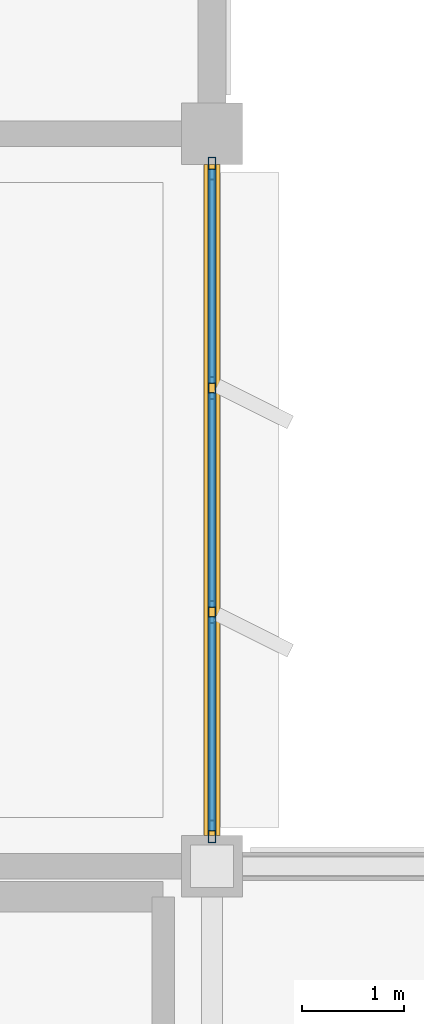
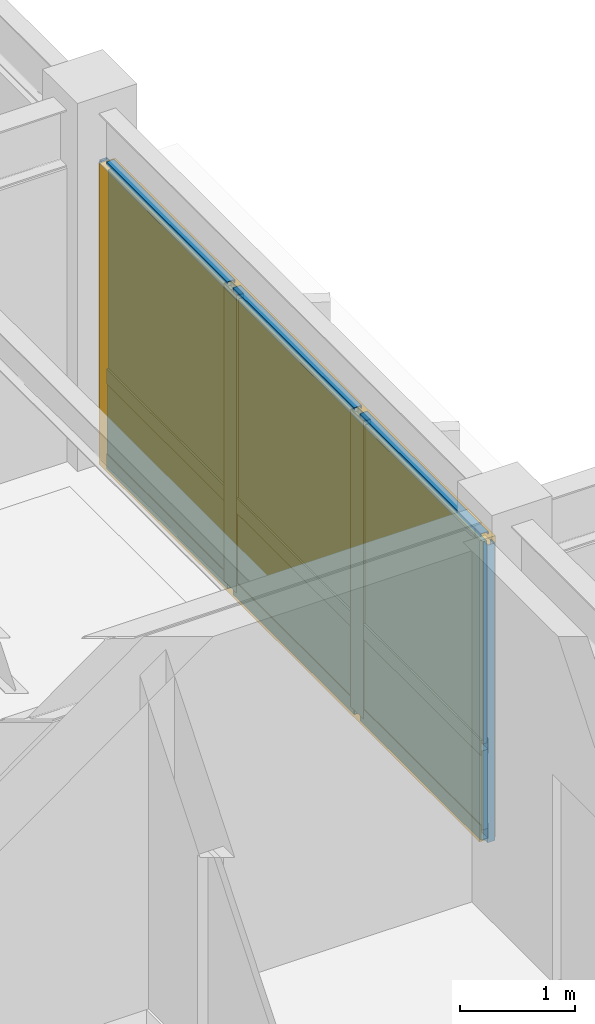
# One storey, part 62 of 82: 13 members, 6 plates, 1 curtain wall.
"""IFC4 building model written with IfcOpenShell, lengths in metres."""

from ifc_helpers import new_model, si_unit, direction, frame, origin, origin_2d, place, context, subcontext, project, spatial, rectangle, hollow_rectangle, extrude, material, layer, layer_set, material_profile, profile_set, type_object, element, aggregate, save


model = new_model("IFC4")

# Units and contexts
model_context = context("Model", 3, precision=1e-05, world=origin(), true_north=direction((0.0, 1.0)))
body_context = subcontext(model_context, "Body", "Model", "MODEL_VIEW")
ifc_project = project(units=[si_unit("LENGTHUNIT", "METRE"), si_unit("AREAUNIT", "SQUARE_METRE"), si_unit("VOLUMEUNIT", "CUBIC_METRE"), si_unit("PLANEANGLEUNIT", "RADIAN"), si_unit("MASSUNIT", "GRAM", prefix="KILO")], contexts=[model_context])

# Member
ifc_material_1 = material(Name="Anodized Aluminium 6063-T6", Category="aluminium")
ifc_material_profile_1 = material_profile(ifc_material_1, hollow_rectangle(XDim=0.074951171875, YDim=0.219970703125, WallThickness=0.0048828125, at=origin_2d()), Name="ALU 75x220x5")
ifc_profile_set_1 = profile_set([ifc_material_profile_1], Name="Anodized Aluminium 6063-T6")
member_type_1 = type_object("IfcMemberType", Name="CWM-75X180", PredefinedType="MULLION", material=ifc_profile_set_1)
site_placement = place(None, origin())
building_placement = place(site_placement, origin())
storey_placement = place(building_placement, frame((0.0, 0.0, 14.10009765625)))
member_1_placement = place(storey_placement, frame((72.0, 100.4599609375, 0.02001953125), z_axis=(0.0, 0.0, 1.0), x_axis=(1.0, 0.0, 0.0)))
member_1 = element("IfcMember", 1, at=member_1_placement, type_object=member_type_1, Name="Curtain wall mullion CW-L04-09-13-E-00", PredefinedType="MULLION", context=body_context, shape_type="SweptSolid", body=[
    extrude(hollow_rectangle(XDim=0.074951171875, YDim=0.219970703125, WallThickness=0.0048828125, at=origin_2d()), origin(), (0.0, 0.0, 1.0), 3.15185546875),
])

member_2_placement = place(storey_placement, frame((72.0, 98.300048828125, 0.02001953125), z_axis=(0.0, 0.0, 1.0), x_axis=(1.0, 0.0, 0.0)))
member_2 = element("IfcMember", 2, at=member_2_placement, type_object=member_type_1, Name="Curtain wall mullion CW-L04-09-13-E-01", PredefinedType="MULLION", context=body_context, shape_type="SweptSolid", body=[
    extrude(hollow_rectangle(XDim=0.074951171875, YDim=0.219970703125, WallThickness=0.0048828125, at=origin_2d()), origin(), (0.0, 0.0, 1.0), 3.15185546875),
])

member_3_placement = place(storey_placement, frame((72.0, 96.10009765625, 0.02001953125), z_axis=(0.0, 0.0, 1.0), x_axis=(1.0, 0.0, 0.0)))
member_3 = element("IfcMember", 3, at=member_3_placement, type_object=member_type_1, Name="Curtain wall mullion CW-L04-09-13-E-02", PredefinedType="MULLION", context=body_context, shape_type="SweptSolid", body=[
    extrude(hollow_rectangle(XDim=0.074951171875, YDim=0.219970703125, WallThickness=0.0048828125, at=origin_2d()), origin(), (0.0, 0.0, 1.0), 3.15185546875),
])

member_4_placement = place(storey_placement, frame((72.0, 93.93994140625, 0.02001953125), z_axis=(0.0, 0.0, 1.0), x_axis=(1.0, 0.0, 0.0)))
member_4 = element("IfcMember", 4, at=member_4_placement, type_object=member_type_1, Name="Curtain wall mullion CW-L04-09-13-E-03", PredefinedType="MULLION", context=body_context, shape_type="SweptSolid", body=[
    extrude(hollow_rectangle(XDim=0.074951171875, YDim=0.219970703125, WallThickness=0.0048828125, at=origin_2d()), origin(), (0.0, 0.0, 1.0), 3.15185546875),
])

ifc_material_profile_2 = material_profile(ifc_material_1, hollow_rectangle(XDim=0.074951171875, YDim=0.159912109375, WallThickness=0.00390625, at=origin_2d()), Name="ALU 75x160x4")
ifc_profile_set_2 = profile_set([ifc_material_profile_2], Name="Anodized Aluminium 6063-T6")
member_type_2 = type_object("IfcMemberType", Name="CWT-75X150", PredefinedType="USERDEFINED", material=ifc_profile_set_2)
member_5_placement = place(storey_placement, frame((72.0, 100.449951171875, 0.0498046875), z_axis=(0.0, -1.0, 0.0), x_axis=(1.0, 0.0, 0.0)))
member_5 = element("IfcMember", 5, at=member_5_placement, type_object=member_type_2, Name="Curtain wall transom CW-L04-09-13-E-1.01", ObjectType="TRANSOM", PredefinedType="USERDEFINED", context=body_context, shape_type="SweptSolid", body=[
    extrude(hollow_rectangle(XDim=0.074951171875, YDim=0.159912109375, WallThickness=0.00390625, at=origin_2d()), origin(), (0.0, 0.0, 1.0), 2.099853515625),
])

member_6_placement = place(storey_placement, frame((72.0, 98.25, 0.0498046875), z_axis=(0.0, -1.0, 0.0), x_axis=(1.0, 0.0, 0.0)))
member_6 = element("IfcMember", 6, at=member_6_placement, type_object=member_type_2, Name="Curtain wall transom CW-L04-09-13-E-1.02", ObjectType="TRANSOM", PredefinedType="USERDEFINED", context=body_context, shape_type="SweptSolid", body=[
    extrude(hollow_rectangle(XDim=0.074951171875, YDim=0.159912109375, WallThickness=0.00390625, at=origin_2d()), origin(), (0.0, 0.0, 1.0), 2.10009765625),
])

member_7_placement = place(storey_placement, frame((72.0, 96.050048828125, 0.0498046875), z_axis=(0.0, -1.0, 0.0), x_axis=(1.0, 0.0, 0.0)))
member_7 = element("IfcMember", 7, at=member_7_placement, type_object=member_type_2, Name="Curtain wall transom CW-L04-09-13-E-1.03", ObjectType="TRANSOM", PredefinedType="USERDEFINED", context=body_context, shape_type="SweptSolid", body=[
    extrude(hollow_rectangle(XDim=0.074951171875, YDim=0.159912109375, WallThickness=0.00390625, at=origin_2d()), origin(), (0.0, 0.0, 1.0), 2.10009765625),
])

member_8_placement = place(storey_placement, frame((72.0, 100.449951171875, 0.949951171875), z_axis=(0.0, -1.0, 0.0), x_axis=(1.0, 0.0, 0.0)))
member_8 = element("IfcMember", 8, at=member_8_placement, type_object=member_type_2, Name="Curtain wall transom CW-L04-09-13-E-2.01", ObjectType="TRANSOM", PredefinedType="USERDEFINED", context=body_context, shape_type="SweptSolid", body=[
    extrude(hollow_rectangle(XDim=0.074951171875, YDim=0.159912109375, WallThickness=0.00390625, at=origin_2d()), origin(), (0.0, 0.0, 1.0), 2.099853515625),
])

member_9_placement = place(storey_placement, frame((72.0, 98.25, 0.949951171875), z_axis=(0.0, -1.0, 0.0), x_axis=(1.0, 0.0, 0.0)))
member_9 = element("IfcMember", 9, at=member_9_placement, type_object=member_type_2, Name="Curtain wall transom CW-L04-09-13-E-2.02", ObjectType="TRANSOM", PredefinedType="USERDEFINED", context=body_context, shape_type="SweptSolid", body=[
    extrude(hollow_rectangle(XDim=0.074951171875, YDim=0.159912109375, WallThickness=0.00390625, at=origin_2d()), origin(), (0.0, 0.0, 1.0), 2.10009765625),
])

member_10_placement = place(storey_placement, frame((72.0, 96.050048828125, 0.949951171875), z_axis=(0.0, -1.0, 0.0), x_axis=(1.0, 0.0, 0.0)))
member_10 = element("IfcMember", 10, at=member_10_placement, type_object=member_type_2, Name="Curtain wall transom CW-L04-09-13-E-2.03", ObjectType="TRANSOM", PredefinedType="USERDEFINED", context=body_context, shape_type="SweptSolid", body=[
    extrude(hollow_rectangle(XDim=0.074951171875, YDim=0.159912109375, WallThickness=0.00390625, at=origin_2d()), origin(), (0.0, 0.0, 1.0), 2.10009765625),
])

member_11_placement = place(storey_placement, frame((72.0, 100.449951171875, 3.141845703125), z_axis=(0.0, -1.0, 0.0), x_axis=(1.0, 0.0, 0.0)))
member_11 = element("IfcMember", 11, at=member_11_placement, type_object=member_type_2, Name="Curtain wall transom CW-L04-09-13-E-3.01", ObjectType="TRANSOM", PredefinedType="USERDEFINED", context=body_context, shape_type="SweptSolid", body=[
    extrude(hollow_rectangle(XDim=0.074951171875, YDim=0.159912109375, WallThickness=0.00390625, at=origin_2d()), origin(), (0.0, 0.0, 1.0), 2.099853515625),
])

member_12_placement = place(storey_placement, frame((72.0, 98.25, 3.141845703125), z_axis=(0.0, -1.0, 0.0), x_axis=(1.0, 0.0, 0.0)))
member_12 = element("IfcMember", 12, at=member_12_placement, type_object=member_type_2, Name="Curtain wall transom CW-L04-09-13-E-3.02", ObjectType="TRANSOM", PredefinedType="USERDEFINED", context=body_context, shape_type="SweptSolid", body=[
    extrude(hollow_rectangle(XDim=0.074951171875, YDim=0.159912109375, WallThickness=0.00390625, at=origin_2d()), origin(), (0.0, 0.0, 1.0), 2.10009765625),
])

member_13_placement = place(storey_placement, frame((72.0, 96.050048828125, 3.141845703125), z_axis=(0.0, -1.0, 0.0), x_axis=(1.0, 0.0, 0.0)))
member_13 = element("IfcMember", 13, at=member_13_placement, type_object=member_type_2, Name="Curtain wall transom CW-L04-09-13-E-3.03", ObjectType="TRANSOM", PredefinedType="USERDEFINED", context=body_context, shape_type="SweptSolid", body=[
    extrude(hollow_rectangle(XDim=0.074951171875, YDim=0.159912109375, WallThickness=0.00390625, at=origin_2d()), origin(), (0.0, 0.0, 1.0), 2.10009765625),
])

# Plate
ifc_material_2 = material(Name="Acoustic Laminated Low-E Glazing", Category="glass")
ifc_layer_1 = layer(ifc_material_2, 0.0439453125)
ifc_layer_set_1 = layer_set([ifc_layer_1], Name="Acoustic Laminated Low-E Glazing")
plate_type_1 = type_object("IfcPlateType", Name="CWP-IGU-44", PredefinedType="CURTAIN_PANEL", material=ifc_layer_set_1)
plate_1_placement = place(storey_placement, frame((72.0, 99.39990234375, 0.98974609375), z_axis=(0.0, 0.0, 1.0), x_axis=(0.0, -1.0, 0.0)))
plate_1 = element("IfcPlate", 14, at=plate_1_placement, type_object=plate_type_1, Name="Curtain wall vision glazing CW-L04-09-13-E-01", PredefinedType="CURTAIN_PANEL", context=body_context, shape_type="SweptSolid", body=[
    extrude(rectangle(XDim=2.110107421875, YDim=0.0400390625, at=origin_2d()), origin(), (0.0, 0.0, 1.0), 2.14208984375),
])

plate_2_placement = place(storey_placement, frame((72.0, 97.199951171875, 0.98974609375), z_axis=(0.0, 0.0, 1.0), x_axis=(0.0, -1.0, 0.0)))
plate_2 = element("IfcPlate", 15, at=plate_2_placement, type_object=plate_type_1, Name="Curtain wall vision glazing CW-L04-09-13-E-02", PredefinedType="CURTAIN_PANEL", context=body_context, shape_type="SweptSolid", body=[
    extrude(rectangle(XDim=2.110107421875, YDim=0.0400390625, at=origin_2d()), origin(), (0.0, 0.0, 1.0), 2.14208984375),
])

plate_3_placement = place(storey_placement, frame((72.0, 95.0, 0.98974609375), z_axis=(0.0, 0.0, 1.0), x_axis=(0.0, -1.0, 0.0)))
plate_3 = element("IfcPlate", 16, at=plate_3_placement, type_object=plate_type_1, Name="Curtain wall vision glazing CW-L04-09-13-E-03", PredefinedType="CURTAIN_PANEL", context=body_context, shape_type="SweptSolid", body=[
    extrude(rectangle(XDim=2.110107421875, YDim=0.0400390625, at=origin_2d()), origin(), (0.0, 0.0, 1.0), 2.14208984375),
])

ifc_material_3 = material(Name="Insulated Stone-Composite Spandrel", Category="masonry")
ifc_layer_2 = layer(ifc_material_3, 0.068115234375)
ifc_layer_set_2 = layer_set([ifc_layer_2], Name="Insulated Stone-Composite Spandrel")
plate_type_2 = type_object("IfcPlateType", Name="CWP-SPN-68", PredefinedType="CURTAIN_PANEL", material=ifc_layer_set_2)
plate_4_placement = place(storey_placement, frame((72.0, 99.39990234375, 0.080078125), z_axis=(0.0, 0.0, 1.0), x_axis=(0.0, -1.0, 0.0)))
plate_4 = element("IfcPlate", 17, at=plate_4_placement, type_object=plate_type_2, Name="Curtain wall spandrel panel CW-L04-09-13-E-01", PredefinedType="CURTAIN_PANEL", context=body_context, shape_type="SweptSolid", body=[
    extrude(rectangle(XDim=2.110107421875, YDim=0.06005859375, at=origin_2d()), origin(), (0.0, 0.0, 1.0), 0.840087890625),
])

plate_5_placement = place(storey_placement, frame((72.0, 97.199951171875, 0.080078125), z_axis=(0.0, 0.0, 1.0), x_axis=(0.0, -1.0, 0.0)))
plate_5 = element("IfcPlate", 18, at=plate_5_placement, type_object=plate_type_2, Name="Curtain wall spandrel panel CW-L04-09-13-E-02", PredefinedType="CURTAIN_PANEL", context=body_context, shape_type="SweptSolid", body=[
    extrude(rectangle(XDim=2.110107421875, YDim=0.06005859375, at=origin_2d()), origin(), (0.0, 0.0, 1.0), 0.840087890625),
])

plate_6_placement = place(storey_placement, frame((72.0, 95.0, 0.080078125), z_axis=(0.0, 0.0, 1.0), x_axis=(0.0, -1.0, 0.0)))
plate_6 = element("IfcPlate", 19, at=plate_6_placement, type_object=plate_type_2, Name="Curtain wall spandrel panel CW-L04-09-13-E-03", PredefinedType="CURTAIN_PANEL", context=body_context, shape_type="SweptSolid", body=[
    extrude(rectangle(XDim=2.110107421875, YDim=0.06005859375, at=origin_2d()), origin(), (0.0, 0.0, 1.0), 0.840087890625),
])

# Site, building, storey
site = spatial("IfcSite", under=ifc_project, at=site_placement, CompositionType="ELEMENT")
building = spatial("IfcBuilding", under=site, at=building_placement, Name="Sillqori Civic Hall", CompositionType="ELEMENT")
storey = spatial("IfcBuildingStorey", under=building, at=storey_placement, Name="L04", CompositionType="ELEMENT", Elevation=14.10009765625)

# Curtain wall
ifc_material_4 = material(Name="Anodized Aluminium Curtain Wall System", Category="aluminium")
curtain_wall_type = type_object("IfcCurtainWallType", Name="CW-AD-370", PredefinedType="NOTDEFINED", material=ifc_material_4)
curtain_wall_placement = place(storey_placement, frame((72.0, 97.199951171875, 0.0), z_axis=(0.0, 0.0, 1.0), x_axis=(0.0, -1.0, 0.0)))
curtain_wall = element("IfcCurtainWall", 20, at=curtain_wall_placement, inside=storey, type_object=curtain_wall_type, Name="L04 unitised curtain wall CW-L04-09-13-E", PredefinedType="NOTDEFINED", context=body_context, shape_type="SweptSolid", body=[
    extrude(rectangle(XDim=6.60009765625, YDim=0.159912109375, at=origin_2d()), origin(), (0.0, 0.0, 1.0), 3.19189453125),
])

aggregate(curtain_wall, [member_1, member_2, member_3, member_4, member_5, member_6, member_7, member_8, member_9, member_10, member_11, member_12, member_13, plate_4, plate_1, plate_5, plate_2, plate_6, plate_3])

save(model, "model.ifc")
